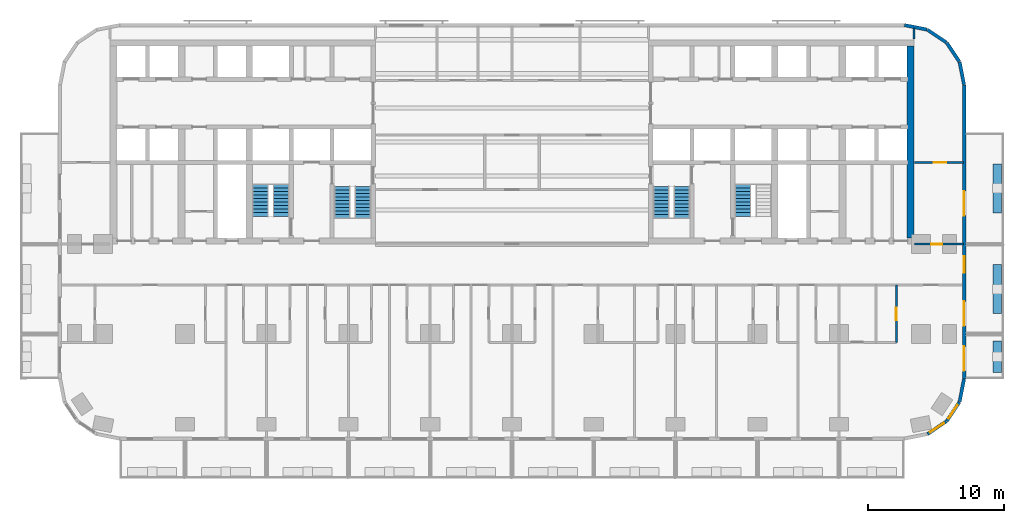
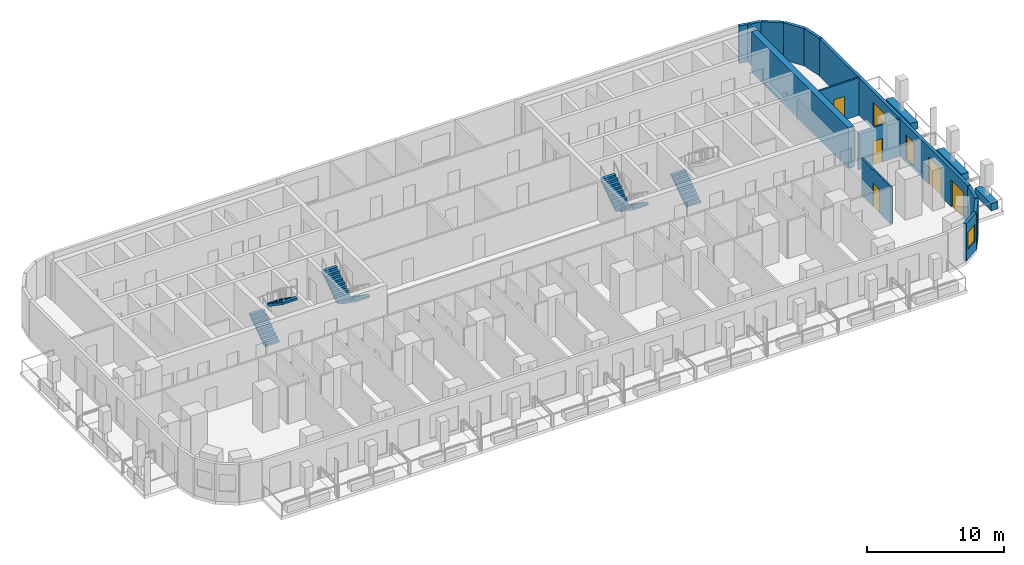
# One storey, part 9 of 15: 16 walls, 7 stair flights, 6 doors, 3 windows, 9 openings, 4 elements without a shape of their own.
"""IFC4 building model written with IfcOpenShell, lengths in metres."""

from ifc_helpers import new_model, si_unit, direction, frame, frame_2d, origin, place, context, subcontext, project, spatial, polyline, rectangle, outline, extrude, material, layer, layer_set, type_object, element, fill, aggregate, save


model = new_model("IFC4")

# Units and contexts
model_context = context("Model", 3, precision=1e-05, world=origin(), true_north=direction((0.0, 1.0)))
body_context = subcontext(model_context, "Body", "Model", "MODEL_VIEW")
ifc_project = project(units=[si_unit("LENGTHUNIT", "METRE"), si_unit("AREAUNIT", "SQUARE_METRE"), si_unit("VOLUMEUNIT", "CUBIC_METRE"), si_unit("PLANEANGLEUNIT", "RADIAN"), si_unit("MASSUNIT", "GRAM", prefix="KILO")], contexts=[model_context])

# Site, building, storey
site_placement = place(None, origin())
site = spatial("IfcSite", under=ifc_project, at=site_placement, CompositionType="ELEMENT")
building_placement = place(site_placement, origin())
building = spatial("IfcBuilding", under=site, at=building_placement, Name="Torana Hotel and Residences", CompositionType="ELEMENT")
storey_placement = place(building_placement, frame((0.0, 0.0, 42.0)))
storey = spatial("IfcBuildingStorey", under=building, at=storey_placement, Name="L09", CompositionType="ELEMENT", Elevation=42.0)

# Walls
ifc_material_1 = material(Name="Concrete C80/95", Category="concrete")
ifc_layer_1 = layer(ifc_material_1, 0.5)
ifc_layer_set_1 = layer_set([ifc_layer_1], Name="CORE WALL 500 C80/95")
wall_type_1 = type_object("IfcWallType", Name="CORE WALL 500 C80/95", PredefinedType="SHEAR", material=ifc_layer_set_1)
wall_1_placement = place(storey_placement, frame((29.25, -14.550048828125, 0.0), z_axis=(0.0, 0.0, 1.0), x_axis=(0.0, 1.0, 0.0)))
element("IfcWall", 1, at=wall_1_placement, inside=storey, type_object=wall_type_1, Name="Core wall E outer", PredefinedType="SHEAR", context=body_context, shape_type="SweptSolid", body=[
    extrude(rectangle(XDim=14.10009765625, YDim=0.5, at=frame_2d((7.050048828125, 0.0))), origin(), (0.0, 0.0, 1.0), 3.60009765625),
])
ifc_material_2 = material(Name="Black aluminium composite panel", Category="aluminium")
ifc_layer_2 = layer(ifc_material_2, 0.00390625, Name="Cladding", Category="cladding")
ifc_material_3 = material(Name="Ventilated air cavity")
ifc_layer_3 = layer(ifc_material_3, 0.0400390625, Name="Ventilated cavity", Category="cavity")
ifc_material_4 = material(Name="Mineral wool insulation")
ifc_layer_4 = layer(ifc_material_4, 0.090087890625, Name="Insulation", Category="insulation")
ifc_material_5 = material(Name="Steel S280GD", Category="steel")
ifc_layer_5 = layer(ifc_material_5, 0.092041015625, Name="Steel stud frame", Category="structure")
ifc_material_6 = material(Name="Fire rated plasterboard")
ifc_layer_6 = layer(ifc_material_6, 0.011962890625, Name="Inner board", Category="finish")
ifc_layer_7 = layer(ifc_material_6, 0.011962890625, Name="Second board", Category="finish")
ifc_layer_set_2 = layer_set([ifc_layer_2, ifc_layer_3, ifc_layer_4, ifc_layer_5, ifc_layer_6, ifc_layer_7], Name="EW1 EXTERNAL WALL BLACK METAL CLAD 250")
wall_type_2 = type_object("IfcWallType", Name="EW1 EXTERNAL WALL BLACK METAL CLAD 250", PredefinedType="SOLIDWALL", material=ifc_layer_set_2)
wall_2_placement = place(storey_placement, frame((33.172607421875, -3.30029296875, 0.0), z_axis=(0.0, 0.0, 1.0), x_axis=(-0.19513878023, 0.980775640221, 0.0)))
element("IfcWall", 2, at=wall_2_placement, inside=storey, type_object=wall_type_2, Name="External wall L09 e0.0", PredefinedType="SOLIDWALL", context=body_context, shape_type="SweptSolid", body=[
    extrude(rectangle(XDim=1.681396484375, YDim=0.25, at=frame_2d((0.8408203125, 0.0))), origin(), (0.0, 0.0, 1.0), 3.320068359375),
])
for number, where, z_axis, x_axis, name in (
    (3, (32.825927734375, -1.60595703125, 0.0), (0.0, 0.0, 1.0), (-0.55555029066, 0.831482937015, 0.0), "External wall L09 e0.1"),
    (4, (31.87109375, -0.1943359375, 0.0), (0.0, 0.0, 1.0), (-0.831482937015, 0.55555029066, 0.0), "External wall L09 e0.2"),
):
    element("IfcWall", number, at=place(storey_placement, frame(where, z_axis=z_axis, x_axis=x_axis)), inside=storey, type_object=wall_type_2, Name=name, PredefinedType="SOLIDWALL", context=body_context, shape_type="SweptSolid", body=[
        extrude(rectangle(XDim=1.65625, YDim=0.25, at=frame_2d((0.828125, 0.0))), origin(), (0.0, 0.0, 1.0), 3.320068359375),
    ])
wall_3_placement = place(storey_placement, frame((30.448974609375, 0.74462890625, 0.0), z_axis=(0.0, 0.0, 1.0), x_axis=(-0.980803419081, 0.194999110559, 0.0)))
element("IfcWall", 5, at=wall_3_placement, inside=storey, type_object=wall_type_2, Name="External wall L09 e0.3", PredefinedType="SOLIDWALL", context=body_context, shape_type="SweptSolid", body=[
    extrude(rectangle(XDim=1.681396484375, YDim=0.25, at=frame_2d((0.8408203125, 0.0))), origin(), (0.0, 0.0, 1.0), 3.320068359375),
])

# Wall, opening, window
wall_4_placement = place(storey_placement, frame((30.493896484375, -28.92578125, 0.0), z_axis=(0.0, 0.0, 1.0), x_axis=(0.831482937015, 0.55555029066, 0.0)))
wall_4 = element("IfcWall", 6, at=wall_4_placement, inside=storey, type_object=wall_type_2, Name="External wall L09 e0.16", PredefinedType="SOLIDWALL", context=body_context, shape_type="SweptSolid", body=[
    extrude(rectangle(XDim=1.65625, YDim=0.25, at=frame_2d((0.828125, 0.0))), origin(), (0.0, 0.0, 1.0), 3.320068359375),
])
opening_1_placement = place(wall_4_placement, frame((0.228271484375, 0.0, 0.89990234375)))
opening_1 = element("IfcOpeningElement", 7, at=opening_1_placement, cuts=wall_4, Name="Opening W5", PredefinedType="OPENING", context=body_context, shape_type="SweptSolid", body=[
    extrude(rectangle(XDim=1.199951171875, YDim=1.5, at=frame_2d((0.60009765625, 0.75))), frame((0.0, 0.135009765625, 0.0), z_axis=(0.0, -1.0, 0.0), x_axis=(1.0, 0.0, 0.0)), (0.0, 0.0, 1.0), 0.27001953125),
])
ifc_material_7 = material(Name="Dark glass in black aluminium frame", Category="aluminium")
window_type_1 = type_object("IfcWindowType", Name="W5 CORNER FACET WINDOW 1200x1500", PartitioningType="SINGLE_PANEL", PredefinedType="WINDOW", material=ifc_material_7)
window_1_placement = place(opening_1_placement, origin())
window_1 = element("IfcWindow", 8, at=window_1_placement, inside=storey, type_object=window_type_1, Name="Window L09 e0.16", OverallHeight=1.5, OverallWidth=1.199951171875, PartitioningType="SINGLE_PANEL", PredefinedType="WINDOW", context=body_context, shape_type="SweptSolid", body=[
    extrude(rectangle(XDim=1.199951171875, YDim=1.5, at=frame_2d((0.60009765625, 0.75))), frame((0.0, 0.030029296875, 0.0), z_axis=(0.0, -1.0, 0.0), x_axis=(1.0, 0.0, 0.0)), (0.0, 0.0, 1.0), 0.06005859375),
])
fill(opening_1, window_1)

wall_5_placement = place(storey_placement, frame((31.90576171875, -27.97119140625, 0.0), z_axis=(0.0, 0.0, 1.0), x_axis=(0.55555029066, 0.831482937015, 0.0)))
wall_5 = element("IfcWall", 9, at=wall_5_placement, inside=storey, type_object=wall_type_2, Name="External wall L09 e0.17", PredefinedType="SOLIDWALL", context=body_context, shape_type="SweptSolid", body=[
    extrude(rectangle(XDim=1.65625, YDim=0.25, at=frame_2d((0.828125, 0.0))), origin(), (0.0, 0.0, 1.0), 3.320068359375),
])
opening_2_placement = place(wall_5_placement, frame((0.228271484375, 0.0, 0.89990234375)))
opening_2 = element("IfcOpeningElement", 10, at=opening_2_placement, cuts=wall_5, Name="Opening W5", PredefinedType="OPENING", context=body_context, shape_type="SweptSolid", body=[
    extrude(rectangle(XDim=1.199951171875, YDim=1.5, at=frame_2d((0.60009765625, 0.75))), frame((0.0, 0.135009765625, 0.0), z_axis=(0.0, -1.0, 0.0), x_axis=(1.0, 0.0, 0.0)), (0.0, 0.0, 1.0), 0.27001953125),
])
window_2_placement = place(opening_2_placement, origin())
window_2 = element("IfcWindow", 11, at=window_2_placement, inside=storey, type_object=window_type_1, Name="Window L09 e0.17", OverallHeight=1.5, OverallWidth=1.199951171875, PartitioningType="SINGLE_PANEL", PredefinedType="WINDOW", context=body_context, shape_type="SweptSolid", body=[
    extrude(rectangle(XDim=1.199951171875, YDim=1.5, at=frame_2d((0.60009765625, 0.75))), frame((0.0, 0.030029296875, 0.0), z_axis=(0.0, -1.0, 0.0), x_axis=(1.0, 0.0, 0.0)), (0.0, 0.0, 1.0), 0.06005859375),
])
fill(opening_2, window_2)

# Wall
wall_6_placement = place(storey_placement, frame((32.844482421875, -26.548828125, 0.0), z_axis=(0.0, 0.0, 1.0), x_axis=(0.195166572128, 0.980770110232, 0.0)))
element("IfcWall", 12, at=wall_6_placement, inside=storey, type_object=wall_type_2, Name="External wall L09 e0.18", PredefinedType="SOLIDWALL", context=body_context, shape_type="SweptSolid", body=[
    extrude(rectangle(XDim=1.68115234375, YDim=0.25, at=frame_2d((0.840576171875, 0.0))), origin(), (0.0, 0.0, 1.0), 3.320068359375),
])

# Wall, openings, doors, window
wall_7_placement = place(storey_placement, frame((33.175048828125, -24.87548828125, 0.0), z_axis=(0.0, 0.0, 1.0), x_axis=(0.0, 1.0, 0.0)))
wall_7 = element("IfcWall", 13, at=wall_7_placement, inside=storey, type_object=wall_type_2, Name="External wall L09 e0.19", PredefinedType="SOLIDWALL", context=body_context, shape_type="SweptSolid", body=[
    extrude(rectangle(XDim=21.55078125, YDim=0.25, at=frame_2d((10.775390625, 0.0))), origin(), (0.0, 0.0, 1.0), 3.320068359375),
])
opening_3_placement = place(wall_7_placement, frame((0.575439453125, 0.0, 0.0)))
opening_3 = element("IfcOpeningElement", 14, at=opening_3_placement, cuts=wall_7, Name="Opening L09-E11", PredefinedType="OPENING", context=body_context, shape_type="SweptSolid", body=[
    extrude(rectangle(XDim=1.800048828125, YDim=2.39990234375, at=frame_2d((0.89990234375, 1.199951171875))), frame((0.0, 0.135009765625, 0.0), z_axis=(0.0, -1.0, 0.0), x_axis=(1.0, 0.0, 0.0)), (0.0, 0.0, 1.0), 0.27001953125),
])
opening_4_placement = place(wall_7_placement, frame((3.87548828125, 0.0, 0.0)))
opening_4 = element("IfcOpeningElement", 15, at=opening_4_placement, cuts=wall_7, Name="Opening L09-E12", PredefinedType="OPENING", context=body_context, shape_type="SweptSolid", body=[
    extrude(rectangle(XDim=1.800048828125, YDim=2.39990234375, at=frame_2d((0.89990234375, 1.199951171875))), frame((0.0, 0.135009765625, 0.0), z_axis=(0.0, -1.0, 0.0), x_axis=(1.0, 0.0, 0.0)), (0.0, 0.0, 1.0), 0.27001953125),
])
opening_5_placement = place(wall_7_placement, frame((7.775390625, 0.0, 0.300048828125)))
opening_5 = element("IfcOpeningElement", 16, at=opening_5_placement, cuts=wall_7, Name="Opening W7", PredefinedType="OPENING", context=body_context, shape_type="SweptSolid", body=[
    extrude(rectangle(XDim=1.199951171875, YDim=2.10009765625, at=frame_2d((0.60009765625, 1.050048828125))), frame((0.0, 0.135009765625, 0.0), z_axis=(0.0, -1.0, 0.0), x_axis=(1.0, 0.0, 0.0)), (0.0, 0.0, 1.0), 0.27001953125),
])
opening_6_placement = place(wall_7_placement, frame((11.975341796875, 0.0, 0.0)))
opening_6 = element("IfcOpeningElement", 17, at=opening_6_placement, cuts=wall_7, Name="Opening L09-E13", PredefinedType="OPENING", context=body_context, shape_type="SweptSolid", body=[
    extrude(rectangle(XDim=1.800048828125, YDim=2.39990234375, at=frame_2d((0.89990234375, 1.199951171875))), frame((0.0, 0.135009765625, 0.0), z_axis=(0.0, -1.0, 0.0), x_axis=(1.0, 0.0, 0.0)), (0.0, 0.0, 1.0), 0.27001953125),
])
ifc_material_8 = material(Name="Dark glass in black aluminium frame", Category="aluminium")
door_type_1 = type_object("IfcDoorType", Name="DB1 BALCONY DOOR 1800x2400", OperationType="DOUBLE_DOOR_SINGLE_SWING", PredefinedType="DOOR", material=ifc_material_8)
door_1_placement = place(opening_3_placement, origin())
door_1 = element("IfcDoor", 18, at=door_1_placement, inside=storey, type_object=door_type_1, Name="Balcony door L09", OperationType="DOUBLE_DOOR_SINGLE_SWING", OverallHeight=2.39990234375, OverallWidth=1.800048828125, PredefinedType="DOOR", context=body_context, shape_type="SweptSolid", body=[
    extrude(rectangle(XDim=1.800048828125, YDim=2.39990234375, at=frame_2d((0.89990234375, 1.199951171875))), frame((0.0, 0.02490234375, 0.0), z_axis=(0.0, -1.0, 0.0), x_axis=(1.0, 0.0, 0.0)), (0.0, 0.0, 1.0), 0.050048828125),
])
fill(opening_3, door_1)
door_2_placement = place(opening_4_placement, frame((0.89990234375, 0.0, 0.0), z_axis=(0.0, 0.0, 1.0), x_axis=(-1.0, 0.0, 0.0)))
door_2 = element("IfcDoor", 19, at=door_2_placement, inside=storey, type_object=door_type_1, Name="Balcony door L09", OperationType="DOUBLE_DOOR_SINGLE_SWING", OverallHeight=2.39990234375, OverallWidth=1.800048828125, PredefinedType="DOOR", context=body_context, shape_type="SweptSolid", body=[
    extrude(rectangle(XDim=1.800048828125, YDim=2.39990234375, at=frame_2d((0.0, 1.199951171875))), frame((0.0, -0.02490234375, 0.0), z_axis=(0.0, 1.0, 0.0), x_axis=(-1.0, 0.0, 0.0)), (0.0, 0.0, 1.0), 0.050048828125),
])
fill(opening_4, door_2)
door_3_placement = place(opening_6_placement, origin())
door_3 = element("IfcDoor", 20, at=door_3_placement, inside=storey, type_object=door_type_1, Name="Balcony door L09", OperationType="DOUBLE_DOOR_SINGLE_SWING", OverallHeight=2.39990234375, OverallWidth=1.800048828125, PredefinedType="DOOR", context=body_context, shape_type="SweptSolid", body=[
    extrude(rectangle(XDim=1.800048828125, YDim=2.39990234375, at=frame_2d((0.89990234375, 1.199951171875))), frame((0.0, 0.02490234375, 0.0), z_axis=(0.0, -1.0, 0.0), x_axis=(1.0, 0.0, 0.0)), (0.0, 0.0, 1.0), 0.050048828125),
])
fill(opening_6, door_3)
ifc_material_9 = material(Name="Dark glass in black aluminium frame", Category="aluminium")
window_type_2 = type_object("IfcWindowType", Name="W7 HOTEL CORRIDOR WINDOW 1200x2100", PartitioningType="SINGLE_PANEL", PredefinedType="WINDOW", material=ifc_material_9)
window_3_placement = place(opening_5_placement, origin())
window_3 = element("IfcWindow", 21, at=window_3_placement, inside=storey, type_object=window_type_2, Name="Window L09", OverallHeight=2.10009765625, OverallWidth=1.199951171875, PartitioningType="SINGLE_PANEL", PredefinedType="WINDOW", context=body_context, shape_type="SweptSolid", body=[
    extrude(rectangle(XDim=1.199951171875, YDim=2.10009765625, at=frame_2d((0.60009765625, 1.050048828125))), frame((0.0, 0.030029296875, 0.0), z_axis=(0.0, -1.0, 0.0), x_axis=(1.0, 0.0, 0.0)), (0.0, 0.0, 1.0), 0.06005859375),
])
fill(opening_5, window_3)

# Wall, opening, door
ifc_material_10 = material(Name="Gypsum plaster")
ifc_layer_8 = layer(ifc_material_10, 0.014892578125, Name="Plaster", Category="finish")
ifc_material_11 = material(Name="Concrete blockwork", Category="masonry")
ifc_layer_9 = layer(ifc_material_11, 0.1201171875, Name="Blockwork", Category="structure")
ifc_layer_10 = layer(ifc_material_10, 0.014892578125, Name="Plaster", Category="finish")
ifc_layer_set_3 = layer_set([ifc_layer_8, ifc_layer_9, ifc_layer_10], Name="FIRE PARTITION 150 BLOCKWORK")
wall_type_3 = type_object("IfcWallType", Name="FIRE PARTITION 150 BLOCKWORK", PredefinedType="PARTITIONING", material=ifc_layer_set_3)
wall_8_placement = place(storey_placement, frame((29.550048828125, -15.0, 0.0), z_axis=(0.0, 0.0, 1.0), x_axis=(1.0, 0.0, 0.0)))
wall_8 = element("IfcWall", 22, at=wall_8_placement, inside=storey, type_object=wall_type_3, Name="Partition L09", PredefinedType="PARTITIONING", context=body_context, shape_type="SweptSolid", body=[
    extrude(rectangle(XDim=3.570068359375, YDim=0.14990234375, at=frame_2d((1.78515625, 0.0))), origin(), (0.0, 0.0, 1.0), 3.320068359375),
])
opening_7_placement = place(wall_8_placement, frame((1.205078125, 0.0, 0.0)))
opening_7 = element("IfcOpeningElement", 23, at=opening_7_placement, cuts=wall_8, Name="Opening L09-56", PredefinedType="OPENING", context=body_context, shape_type="SweptSolid", body=[
    extrude(rectangle(XDim=0.800048828125, YDim=2.10009765625, at=frame_2d((0.39990234375, 1.050048828125))), frame((0.0, 0.0849609375, 0.0), z_axis=(0.0, -1.0, 0.0), x_axis=(1.0, 0.0, 0.0)), (0.0, 0.0, 1.0), 0.169921875),
])
ifc_material_12 = material(Name="Steel S235", Category="steel")
door_type_2 = type_object("IfcDoorType", Name="STORE FIRE DOOR D16 800x2100", OperationType="SINGLE_SWING_LEFT", PredefinedType="DOOR", material=ifc_material_12)
door_4_placement = place(opening_7_placement, origin())
door_4 = element("IfcDoor", 24, at=door_4_placement, inside=storey, type_object=door_type_2, Name="Door L09", OperationType="SINGLE_SWING_RIGHT", OverallHeight=2.10009765625, OverallWidth=0.800048828125, PredefinedType="DOOR", context=body_context, shape_type="SweptSolid", body=[
    extrude(rectangle(XDim=0.800048828125, YDim=2.10009765625, at=frame_2d((0.39990234375, 1.050048828125))), frame((0.0, 0.02490234375, 0.0), z_axis=(0.0, -1.0, 0.0), x_axis=(1.0, 0.0, 0.0)), (0.0, 0.0, 1.0), 0.050048828125),
])
fill(opening_7, door_4)

# Wall
ifc_material_13 = material(Name="Gypsum plasterboard")
ifc_layer_11 = layer(ifc_material_13, 0.012451171875, Name="Plasterboard", Category="finish")
ifc_layer_12 = layer(ifc_material_13, 0.012451171875, Name="Plasterboard", Category="finish")
ifc_layer_13 = layer(ifc_material_5, 0.10009765625, Name="Steel studs with mineral wool", Category="insulation")
ifc_layer_14 = layer(ifc_material_13, 0.012451171875, Name="Plasterboard", Category="finish")
ifc_layer_15 = layer(ifc_material_13, 0.012451171875, Name="Plasterboard", Category="finish")
ifc_layer_set_4 = layer_set([ifc_layer_11, ifc_layer_12, ifc_layer_13, ifc_layer_14, ifc_layer_15], Name="PARTITION 150 PLASTERBOARD")
wall_type_4 = type_object("IfcWallType", Name="PARTITION 150 PLASTERBOARD", PredefinedType="PARTITIONING", material=ifc_layer_set_4)
wall_9_placement = place(storey_placement, frame((29.5, 0.050048828125, 0.0), z_axis=(0.0, 0.0, 1.0), x_axis=(0.0, 1.0, 0.0)))
element("IfcWall", 25, at=wall_9_placement, inside=storey, type_object=wall_type_4, Name="Partition L09", PredefinedType="PARTITIONING", context=body_context, shape_type="SweptSolid", body=[
    extrude(rectangle(XDim=0.8271484375, YDim=0.14990234375, at=frame_2d((0.41357421875, 0.0))), origin(), (0.0, 0.0, 1.0), 3.320068359375),
])

# Wall, opening, door
wall_10_placement = place(storey_placement, frame((28.199951171875, -22.199951171875, 0.0), z_axis=(0.0, 0.0, 1.0), x_axis=(0.0, 1.0, 0.0)))
wall_10 = element("IfcWall", 26, at=wall_10_placement, inside=storey, type_object=wall_type_4, Name="Partition L09", PredefinedType="PARTITIONING", context=body_context, shape_type="SweptSolid", body=[
    extrude(rectangle(XDim=4.199951171875, YDim=0.14990234375, at=frame_2d((2.10009765625, 0.0))), origin(), (0.0, 0.0, 1.0), 3.320068359375),
])
opening_8_placement = place(wall_10_placement, frame((1.6298828125, 0.0, 0.0)))
opening_8 = element("IfcOpeningElement", 27, at=opening_8_placement, cuts=wall_10, Name="Opening L09-83", PredefinedType="OPENING", context=body_context, shape_type="SweptSolid", body=[
    extrude(rectangle(XDim=0.89990234375, YDim=2.10009765625, at=frame_2d((0.449951171875, 1.050048828125))), frame((0.0, 0.0849609375, 0.0), z_axis=(0.0, -1.0, 0.0), x_axis=(1.0, 0.0, 0.0)), (0.0, 0.0, 1.0), 0.169921875),
])
ifc_material_14 = material(Name="Timber door, oiled ash", Category="wood")
door_type_3 = type_object("IfcDoorType", Name="ROOM DOOR D7 900x2100", OperationType="SINGLE_SWING_LEFT", PredefinedType="DOOR", material=ifc_material_14)
door_5_placement = place(opening_8_placement, origin())
door_5 = element("IfcDoor", 28, at=door_5_placement, inside=storey, type_object=door_type_3, Name="Door L09", OperationType="SINGLE_SWING_RIGHT", OverallHeight=2.10009765625, OverallWidth=0.89990234375, PredefinedType="DOOR", context=body_context, shape_type="SweptSolid", body=[
    extrude(rectangle(XDim=0.89990234375, YDim=2.10009765625, at=frame_2d((0.449951171875, 1.050048828125))), frame((0.0, 0.02490234375, 0.0), z_axis=(0.0, -1.0, 0.0), x_axis=(1.0, 0.0, 0.0)), (0.0, 0.0, 1.0), 0.050048828125),
])
fill(opening_8, door_5)

wall_11_placement = place(storey_placement, frame((29.550048828125, -9.0, 0.0), z_axis=(0.0, 0.0, 1.0), x_axis=(1.0, 0.0, 0.0)))
wall_11 = element("IfcWall", 29, at=wall_11_placement, inside=storey, type_object=wall_type_4, Name="Partition L09", PredefinedType="PARTITIONING", context=body_context, shape_type="SweptSolid", body=[
    extrude(rectangle(XDim=3.570068359375, YDim=0.14990234375, at=frame_2d((1.78515625, 0.0))), origin(), (0.0, 0.0, 1.0), 3.320068359375),
])
opening_9_placement = place(wall_11_placement, frame((1.39990234375, 0.0, 0.0)))
opening_9 = element("IfcOpeningElement", 30, at=opening_9_placement, cuts=wall_11, Name="Opening L09-85", PredefinedType="OPENING", context=body_context, shape_type="SweptSolid", body=[
    extrude(rectangle(XDim=0.89990234375, YDim=2.10009765625, at=frame_2d((0.449951171875, 1.050048828125))), frame((0.0, 0.0849609375, 0.0), z_axis=(0.0, -1.0, 0.0), x_axis=(1.0, 0.0, 0.0)), (0.0, 0.0, 1.0), 0.169921875),
])
door_6_placement = place(opening_9_placement, origin())
door_6 = element("IfcDoor", 31, at=door_6_placement, inside=storey, type_object=door_type_3, Name="Door L09", OperationType="SINGLE_SWING_LEFT", OverallHeight=2.10009765625, OverallWidth=0.89990234375, PredefinedType="DOOR", context=body_context, shape_type="SweptSolid", body=[
    extrude(rectangle(XDim=0.89990234375, YDim=2.10009765625, at=frame_2d((0.449951171875, 1.050048828125))), frame((0.0, 0.02490234375, 0.0), z_axis=(0.0, -1.0, 0.0), x_axis=(1.0, 0.0, 0.0)), (0.0, 0.0, 1.0), 0.050048828125),
])
fill(opening_9, door_6)

# Walls
ifc_material_15 = material(Name="Concrete C40/50 precast", Category="concrete")
ifc_layer_16 = layer(ifc_material_15, 0.10009765625, Name="Planter shell", Category="structure")
ifc_material_16 = material(Name="Root resistant membrane")
ifc_layer_17 = layer(ifc_material_16, 0.00390625, Name="Waterproofing membrane", Category="membrane")
ifc_material_17 = material(Name="Drainage board with filter fleece")
ifc_layer_18 = layer(ifc_material_17, 0.02001953125, Name="Drainage board", Category="drainage")
ifc_material_18 = material(Name="Growing medium")
ifc_layer_19 = layer(ifc_material_18, 0.47607421875, Name="Planting substrate", Category="soil")
ifc_layer_set_5 = layer_set([ifc_layer_16, ifc_layer_17, ifc_layer_18, ifc_layer_19], Name="PL1 BALCONY PLANTER 600")
wall_type_5 = type_object("IfcWallType", Name="PL1 BALCONY PLANTER 600", PredefinedType="USERDEFINED", material=ifc_layer_set_5)
wall_12_placement = place(storey_placement, frame((35.60009765625, -22.10009765625, 0.0), z_axis=(0.0, 0.0, 1.0), x_axis=(0.0, -1.0, 0.0)))
element("IfcWall", 32, at=wall_12_placement, inside=storey, type_object=wall_type_5, Name="Planter 14", ObjectType="PLANTER", PredefinedType="USERDEFINED", context=body_context, shape_type="SweptSolid", body=[
    extrude(rectangle(XDim=2.2998046875, YDim=0.60009765625, at=frame_2d((1.14990234375, 0.0))), origin(), (0.0, 0.0, 1.0), 0.64990234375),
])
wall_13_placement = place(storey_placement, frame((35.60009765625, -16.5, 0.0), z_axis=(0.0, 0.0, 1.0), x_axis=(0.0, -1.0, 0.0)))
element("IfcWall", 33, at=wall_13_placement, inside=storey, type_object=wall_type_5, Name="Planter 15", ObjectType="PLANTER", PredefinedType="USERDEFINED", context=body_context, shape_type="SweptSolid", body=[
    extrude(rectangle(XDim=3.60009765625, YDim=0.60009765625, at=frame_2d((1.800048828125, 0.0))), origin(), (0.0, 0.0, 1.0), 0.64990234375),
])
wall_14_placement = place(storey_placement, frame((35.60009765625, -9.10009765625, 0.0), z_axis=(0.0, 0.0, 1.0), x_axis=(0.0, -1.0, 0.0)))
element("IfcWall", 34, at=wall_14_placement, inside=storey, type_object=wall_type_5, Name="Planter 16", ObjectType="PLANTER", PredefinedType="USERDEFINED", context=body_context, shape_type="SweptSolid", body=[
    extrude(rectangle(XDim=3.599853515625, YDim=0.60009765625, at=frame_2d((1.7998046875, 0.0))), origin(), (0.0, 0.0, 1.0), 0.64990234375),
])

# Stair, stair flights
ifc_material_19 = material(Name="Concrete C40/50 precast", Category="concrete")
stair_type_1 = type_object("IfcStairType", Name="STAIR ST1 HALF TURN 1200", PredefinedType="HALF_TURN_STAIR", material=ifc_material_19)
stair_1_placement = place(storey_placement, origin())
stair_1 = element("IfcStair", 35, at=stair_1_placement, inside=storey, type_object=stair_type_1, Name="Stair ST1 L09", PredefinedType="HALF_TURN_STAIR")
ifc_material_20 = material(Name="Concrete C40/50 precast", Category="concrete")
stair_flight_type = type_object("IfcStairFlightType", Name="STAIR FLIGHT 1200 PRECAST", PredefinedType="STRAIGHT", material=ifc_material_20)
stair_flight_1_placement = place(storey_placement, frame((-10.949951171875, -10.75, 0.0), z_axis=(0.0, 0.0, 1.0), x_axis=(0.0, -1.0, 0.0)))
stair_flight_1 = element("IfcStairFlight", 36, at=stair_flight_1_placement, type_object=stair_flight_type, Name="ST1 flight 1", NumberOfRisers=10, NumberOfTreads=9, PredefinedType="STRAIGHT", RiserHeight=0.18, TreadLength=0.26, context=body_context, shape_type="SweptSolid", body=[
    extrude(outline(polyline([(0.0, 0.0), (0.0, 0.179931640625), (0.260009765625, 0.179931640625), (0.260009765625, 0.360107421875), (0.52001953125, 0.360107421875), (0.52001953125, 0.5400390625), (0.780029296875, 0.5400390625), (0.780029296875, 0.719970703125), (1.0400390625, 0.719970703125), (1.0400390625, 0.89990234375), (1.300048828125, 0.89990234375), (1.300048828125, 1.080078125), (1.56005859375, 1.080078125), (1.56005859375, 1.260009765625), (1.820068359375, 1.260009765625), (1.820068359375, 1.43994140625), (2.080078125, 1.43994140625), (2.080078125, 1.6201171875), (2.340087890625, 1.6201171875), (2.340087890625, 1.800048828125), (2.340087890625, 1.437744140625), (0.263427734375, 0.0), (0.0, 0.0)])), frame((0.0, 0.60009765625, 0.0), z_axis=(0.0, -1.0, 0.0), x_axis=(1.0, 0.0, 0.0)), (0.0, 0.0, 1.0), 1.199951171875),
])
stair_flight_2_placement = place(storey_placement, frame((-12.449951171875, -13.090087890625, 1.800048828125), z_axis=(0.0, 0.0, 1.0), x_axis=(0.0, 1.0, 0.0)))
stair_flight_2 = element("IfcStairFlight", 37, at=stair_flight_2_placement, type_object=stair_flight_type, Name="ST1 flight 2", NumberOfRisers=10, NumberOfTreads=9, PredefinedType="STRAIGHT", RiserHeight=0.18, TreadLength=0.26, context=body_context, shape_type="SweptSolid", body=[
    extrude(outline(polyline([(0.0, 0.0), (0.0, 0.179931640625), (0.260009765625, 0.179931640625), (0.260009765625, 0.360107421875), (0.52001953125, 0.360107421875), (0.52001953125, 0.5400390625), (0.780029296875, 0.5400390625), (0.780029296875, 0.719970703125), (1.0400390625, 0.719970703125), (1.0400390625, 0.89990234375), (1.300048828125, 0.89990234375), (1.300048828125, 1.080078125), (1.56005859375, 1.080078125), (1.56005859375, 1.260009765625), (1.820068359375, 1.260009765625), (1.820068359375, 1.43994140625), (2.080078125, 1.43994140625), (2.080078125, 1.6201171875), (2.340087890625, 1.6201171875), (2.340087890625, 1.800048828125), (2.340087890625, 1.437744140625), (0.263427734375, 0.0), (0.0, 0.0)])), frame((0.0, 0.60009765625, 0.0), z_axis=(0.0, -1.0, 0.0), x_axis=(1.0, 0.0, 0.0)), (0.0, 0.0, 1.0), 1.199951171875),
])
aggregate(stair_1, [stair_flight_1, stair_flight_2])

ifc_material_21 = material(Name="Concrete C40/50 precast", Category="concrete")
stair_type_2 = type_object("IfcStairType", Name="STAIR ST2 HALF TURN 1200", PredefinedType="HALF_TURN_STAIR", material=ifc_material_21)
stair_2_placement = place(storey_placement, origin())
stair_2 = element("IfcStair", 38, at=stair_2_placement, inside=storey, type_object=stair_type_2, Name="Stair ST2 L09", PredefinedType="HALF_TURN_STAIR")
stair_flight_3_placement = place(storey_placement, frame((-18.449951171875, -12.949951171875, 0.0), z_axis=(0.0, 0.0, 1.0), x_axis=(0.0, 1.0, 0.0)))
stair_flight_3 = element("IfcStairFlight", 39, at=stair_flight_3_placement, type_object=stair_flight_type, Name="ST2 flight 1", NumberOfRisers=10, NumberOfTreads=9, PredefinedType="STRAIGHT", RiserHeight=0.18, TreadLength=0.26, context=body_context, shape_type="SweptSolid", body=[
    extrude(outline(polyline([(0.0, 0.0), (0.0, 0.179931640625), (0.260009765625, 0.179931640625), (0.260009765625, 0.360107421875), (0.52001953125, 0.360107421875), (0.52001953125, 0.5400390625), (0.780029296875, 0.5400390625), (0.780029296875, 0.719970703125), (1.0400390625, 0.719970703125), (1.0400390625, 0.89990234375), (1.300048828125, 0.89990234375), (1.300048828125, 1.080078125), (1.56005859375, 1.080078125), (1.56005859375, 1.260009765625), (1.820068359375, 1.260009765625), (1.820068359375, 1.43994140625), (2.080078125, 1.43994140625), (2.080078125, 1.6201171875), (2.340087890625, 1.6201171875), (2.340087890625, 1.800048828125), (2.340087890625, 1.437744140625), (0.263427734375, 0.0), (0.0, 0.0)])), frame((0.0, 0.60009765625, 0.0), z_axis=(0.0, -1.0, 0.0), x_axis=(1.0, 0.0, 0.0)), (0.0, 0.0, 1.0), 1.199951171875),
])
stair_flight_4_placement = place(storey_placement, frame((-16.949951171875, -10.610107421875, 1.800048828125), z_axis=(0.0, 0.0, 1.0), x_axis=(0.0, -1.0, 0.0)))
stair_flight_4 = element("IfcStairFlight", 40, at=stair_flight_4_placement, type_object=stair_flight_type, Name="ST2 flight 2", NumberOfRisers=10, NumberOfTreads=9, PredefinedType="STRAIGHT", RiserHeight=0.18, TreadLength=0.26, context=body_context, shape_type="SweptSolid", body=[
    extrude(outline(polyline([(0.0, 0.0), (0.0, 0.179931640625), (0.260009765625, 0.179931640625), (0.260009765625, 0.360107421875), (0.52001953125, 0.360107421875), (0.52001953125, 0.5400390625), (0.780029296875, 0.5400390625), (0.780029296875, 0.719970703125), (1.0400390625, 0.719970703125), (1.0400390625, 0.89990234375), (1.300048828125, 0.89990234375), (1.300048828125, 1.080078125), (1.56005859375, 1.080078125), (1.56005859375, 1.260009765625), (1.820068359375, 1.260009765625), (1.820068359375, 1.43994140625), (2.080078125, 1.43994140625), (2.080078125, 1.6201171875), (2.340087890625, 1.6201171875), (2.340087890625, 1.800048828125), (2.340087890625, 1.437744140625), (0.263427734375, 0.0), (0.0, 0.0)])), frame((0.0, 0.60009765625, 0.0), z_axis=(0.0, -1.0, 0.0), x_axis=(1.0, 0.0, 0.0)), (0.0, 0.0, 1.0), 1.199951171875),
])
aggregate(stair_2, [stair_flight_3, stair_flight_4])

ifc_material_22 = material(Name="Concrete C40/50 precast", Category="concrete")
stair_type_3 = type_object("IfcStairType", Name="STAIR ST3 HALF TURN 1200", PredefinedType="HALF_TURN_STAIR", material=ifc_material_22)
stair_3_placement = place(storey_placement, origin())
stair_3 = element("IfcStair", 41, at=stair_3_placement, inside=storey, type_object=stair_type_3, Name="Stair ST3 L09", PredefinedType="HALF_TURN_STAIR")
stair_flight_5_placement = place(storey_placement, frame((12.449951171875, -10.75, 0.0), z_axis=(0.0, 0.0, 1.0), x_axis=(0.0, -1.0, 0.0)))
stair_flight_5 = element("IfcStairFlight", 42, at=stair_flight_5_placement, type_object=stair_flight_type, Name="ST3 flight 1", NumberOfRisers=10, NumberOfTreads=9, PredefinedType="STRAIGHT", RiserHeight=0.18, TreadLength=0.26, context=body_context, shape_type="SweptSolid", body=[
    extrude(outline(polyline([(0.0, 0.0), (0.0, 0.179931640625), (0.260009765625, 0.179931640625), (0.260009765625, 0.360107421875), (0.52001953125, 0.360107421875), (0.52001953125, 0.5400390625), (0.780029296875, 0.5400390625), (0.780029296875, 0.719970703125), (1.0400390625, 0.719970703125), (1.0400390625, 0.89990234375), (1.300048828125, 0.89990234375), (1.300048828125, 1.080078125), (1.56005859375, 1.080078125), (1.56005859375, 1.260009765625), (1.820068359375, 1.260009765625), (1.820068359375, 1.43994140625), (2.080078125, 1.43994140625), (2.080078125, 1.6201171875), (2.340087890625, 1.6201171875), (2.340087890625, 1.800048828125), (2.340087890625, 1.437744140625), (0.263427734375, 0.0), (0.0, 0.0)])), frame((0.0, 0.60009765625, 0.0), z_axis=(0.0, -1.0, 0.0), x_axis=(1.0, 0.0, 0.0)), (0.0, 0.0, 1.0), 1.199951171875),
])
stair_flight_6_placement = place(storey_placement, frame((10.949951171875, -13.090087890625, 1.800048828125), z_axis=(0.0, 0.0, 1.0), x_axis=(0.0, 1.0, 0.0)))
stair_flight_6 = element("IfcStairFlight", 43, at=stair_flight_6_placement, type_object=stair_flight_type, Name="ST3 flight 2", NumberOfRisers=10, NumberOfTreads=9, PredefinedType="STRAIGHT", RiserHeight=0.18, TreadLength=0.26, context=body_context, shape_type="SweptSolid", body=[
    extrude(outline(polyline([(0.0, 0.0), (0.0, 0.179931640625), (0.260009765625, 0.179931640625), (0.260009765625, 0.360107421875), (0.52001953125, 0.360107421875), (0.52001953125, 0.5400390625), (0.780029296875, 0.5400390625), (0.780029296875, 0.719970703125), (1.0400390625, 0.719970703125), (1.0400390625, 0.89990234375), (1.300048828125, 0.89990234375), (1.300048828125, 1.080078125), (1.56005859375, 1.080078125), (1.56005859375, 1.260009765625), (1.820068359375, 1.260009765625), (1.820068359375, 1.43994140625), (2.080078125, 1.43994140625), (2.080078125, 1.6201171875), (2.340087890625, 1.6201171875), (2.340087890625, 1.800048828125), (2.340087890625, 1.437744140625), (0.263427734375, 0.0), (0.0, 0.0)])), frame((0.0, 0.60009765625, 0.0), z_axis=(0.0, -1.0, 0.0), x_axis=(1.0, 0.0, 0.0)), (0.0, 0.0, 1.0), 1.199951171875),
])
aggregate(stair_3, [stair_flight_5, stair_flight_6])

# Stair, stair flight
ifc_material_23 = material(Name="Concrete C40/50 precast", Category="concrete")
stair_type_4 = type_object("IfcStairType", Name="STAIR ST4 HALF TURN 1200", PredefinedType="HALF_TURN_STAIR", material=ifc_material_23)
stair_4_placement = place(storey_placement, origin())
stair_4 = element("IfcStair", 44, at=stair_4_placement, inside=storey, type_object=stair_type_4, Name="Stair ST4 L09", PredefinedType="HALF_TURN_STAIR")
stair_flight_7_placement = place(storey_placement, frame((16.949951171875, -12.949951171875, 0.0), z_axis=(0.0, 0.0, 1.0), x_axis=(0.0, 1.0, 0.0)))
stair_flight_7 = element("IfcStairFlight", 45, at=stair_flight_7_placement, type_object=stair_flight_type, Name="ST4 flight 1", NumberOfRisers=10, NumberOfTreads=9, PredefinedType="STRAIGHT", RiserHeight=0.18, TreadLength=0.26, context=body_context, shape_type="SweptSolid", body=[
    extrude(outline(polyline([(0.0, 0.0), (0.0, 0.179931640625), (0.260009765625, 0.179931640625), (0.260009765625, 0.360107421875), (0.52001953125, 0.360107421875), (0.52001953125, 0.5400390625), (0.780029296875, 0.5400390625), (0.780029296875, 0.719970703125), (1.0400390625, 0.719970703125), (1.0400390625, 0.89990234375), (1.300048828125, 0.89990234375), (1.300048828125, 1.080078125), (1.56005859375, 1.080078125), (1.56005859375, 1.260009765625), (1.820068359375, 1.260009765625), (1.820068359375, 1.43994140625), (2.080078125, 1.43994140625), (2.080078125, 1.6201171875), (2.340087890625, 1.6201171875), (2.340087890625, 1.800048828125), (2.340087890625, 1.437744140625), (0.263427734375, 0.0), (0.0, 0.0)])), frame((0.0, 0.60009765625, 0.0), z_axis=(0.0, -1.0, 0.0), x_axis=(1.0, 0.0, 0.0)), (0.0, 0.0, 1.0), 1.199951171875),
])
aggregate(stair_4, [stair_flight_7])

save(model, "model.ifc")
